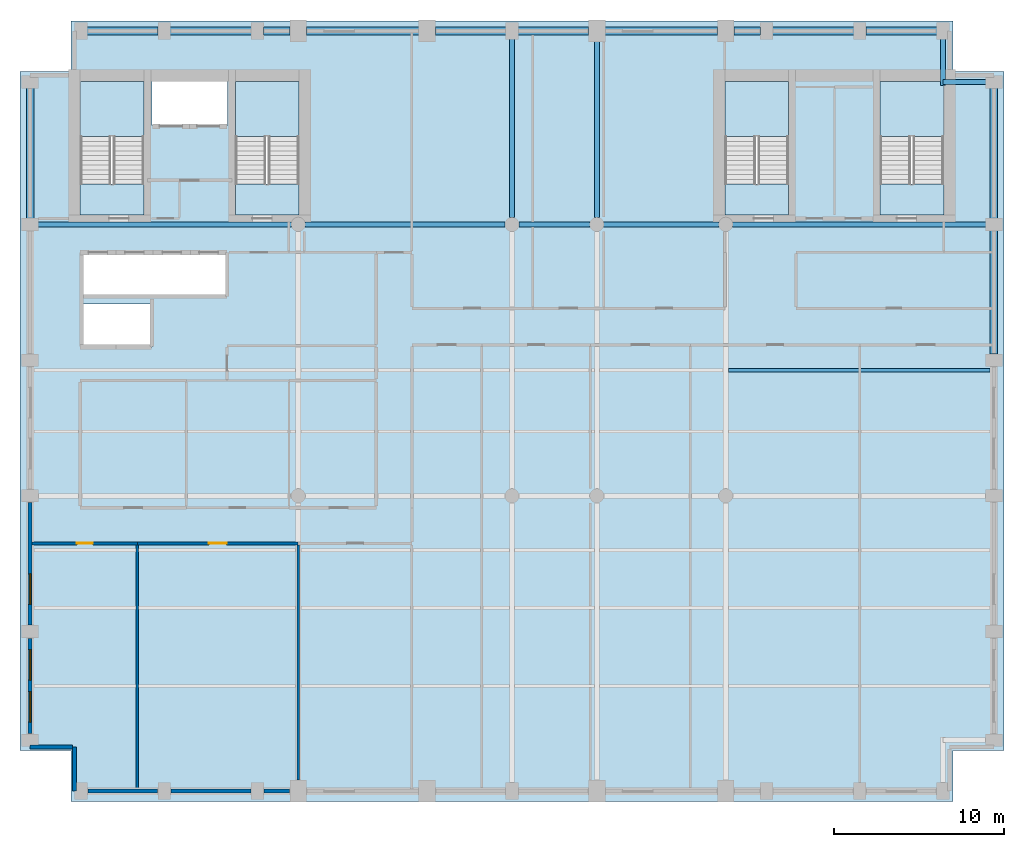
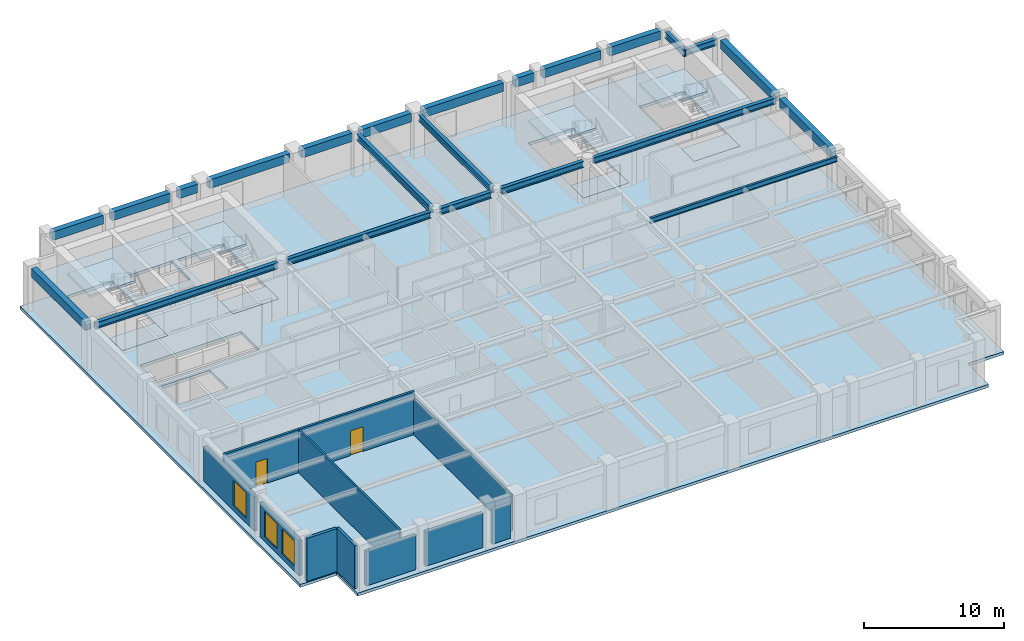
# One storey, part 2 of 8: 23 beams, 11 walls, 9 slabs, 3 windows, 2 doors, 5 openings, 4 elements without a shape of their own.
"""IFC4 building model written with IfcOpenShell, lengths in metres."""

from ifc_helpers import new_model, si_unit, direction, frame, frame_2d, origin, origin_2d, place, context, subcontext, project, spatial, polyline, rectangle, i_section, outline, extrude, material, layer, layer_set, material_profile, profile_set, type_object, element, fill, aggregate, save


model = new_model("IFC4")

# Units and contexts
model_context = context("Model", 3, precision=1e-05, world=origin(), true_north=direction((0.0, 1.0)))
body_context = subcontext(model_context, "Body", "Model", "MODEL_VIEW")
ifc_project = project(units=[si_unit("LENGTHUNIT", "METRE"), si_unit("AREAUNIT", "SQUARE_METRE"), si_unit("VOLUMEUNIT", "CUBIC_METRE"), si_unit("PLANEANGLEUNIT", "RADIAN"), si_unit("MASSUNIT", "GRAM", prefix="KILO")], contexts=[model_context])

# Site, building, storey
site_placement = place(None, origin())
site = spatial("IfcSite", under=ifc_project, at=site_placement, CompositionType="ELEMENT")
building_placement = place(site_placement, origin())
building = spatial("IfcBuilding", under=site, at=building_placement, Name="Sulina Concourse Tower", CompositionType="ELEMENT")
storey_placement = place(building_placement, frame((0.0, 0.0, 264.60009765625)))
storey = spatial("IfcBuildingStorey", under=building, at=storey_placement, Name="L64", CompositionType="ELEMENT", Elevation=264.60009765625)

# Beams
ifc_material_1 = material(Name="Steel S355", Category="steel")
ifc_material_profile_1 = material_profile(ifc_material_1, i_section(OverallWidth=0.18994140625, OverallDepth=0.449951171875, WebThickness=0.009521484375, FlangeThickness=0.0146484375, at=origin_2d()), Name="IPE 450")
ifc_profile_set_1 = profile_set([ifc_material_profile_1], Name="Steel S355")
beam_type_1 = type_object("IfcBeamType", Name="Composite Floor Joist IPE450", PredefinedType="JOIST", material=ifc_profile_set_1)
beam_1_placement = place(storey_placement, frame((41.75, 25.39990234375, 3.52490234375), z_axis=(1.0, 0.0, 0.0), x_axis=(0.0, 1.0, 0.0)))
element("IfcBeam", 1, at=beam_1_placement, inside=storey, type_object=beam_type_1, Name="FJ-J25-5-L64", PredefinedType="JOIST", context=body_context, shape_type="SweptSolid", body=[
    extrude(i_section(OverallWidth=0.18994140625, OverallDepth=0.449951171875, WebThickness=0.009521484375, FlangeThickness=0.0146484375, at=origin_2d()), origin(), (0.0, 0.0, 1.0), 15.425048828125),
])
ifc_material_2 = material(Name="Steel S355", Category="steel")
ifc_material_profile_2 = material_profile(ifc_material_2, i_section(OverallWidth=0.300048828125, OverallDepth=0.550048828125, WebThickness=0.014892578125, FlangeThickness=0.029052734375, at=origin_2d()), Name="HE 550 B")
ifc_profile_set_2 = profile_set([ifc_material_profile_2], Name="Steel S355")
beam_type_2 = type_object("IfcBeamType", Name="Floor Primary Girder Zone 4 HE550B", PredefinedType="BEAM", material=ifc_profile_set_2)
beam_2_placement = place(storey_placement, frame((54.39990234375, 42.39990234375, 3.474853515625), z_axis=(1.0, 0.0, 0.0), x_axis=(0.0, 1.0, 0.0)))
element("IfcBeam", 2, at=beam_2_placement, inside=storey, type_object=beam_type_2, Name="TIE-NE-L64", PredefinedType="BEAM", context=body_context, shape_type="SweptSolid", body=[
    extrude(i_section(OverallWidth=0.300048828125, OverallDepth=0.550048828125, WebThickness=0.014892578125, FlangeThickness=0.029052734375, at=origin_2d()), origin(), (0.0, 0.0, 1.0), 2.64501953125),
])
beam_3_placement = place(storey_placement, frame((54.39990234375, 42.199951171875, 3.474853515625), z_axis=(0.0, 1.0, 0.0), x_axis=(-1.0, 0.0, 0.0)))
element("IfcBeam", 3, at=beam_3_placement, inside=storey, type_object=beam_type_2, Name="TIE-NEN-L64", PredefinedType="BEAM", context=body_context, shape_type="SweptSolid", body=[
    extrude(i_section(OverallWidth=0.300048828125, OverallDepth=0.550048828125, WebThickness=0.014892578125, FlangeThickness=0.029052734375, at=origin_2d()), origin(), (0.0, 0.0, 1.0), 2.844970703125),
])
beam_4_placement = place(storey_placement, frame((0.955078125, 34.0, 3.474853515625), z_axis=(1.0, 0.0, 0.0), x_axis=(0.0, 1.0, 0.0)))
element("IfcBeam", 4, at=beam_4_placement, inside=storey, type_object=beam_type_2, Name="FG-EWN1-L64", PredefinedType="BEAM", context=body_context, shape_type="SweptSolid", body=[
    extrude(i_section(OverallWidth=0.300048828125, OverallDepth=0.550048828125, WebThickness=0.014892578125, FlangeThickness=0.029052734375, at=origin_2d()), origin(), (0.0, 0.0, 1.0), 15.0400390625),
])
beam_5_placement = place(storey_placement, frame((16.804931640625, 34.0, 3.474853515625), z_axis=(1.0, 0.0, 0.0), x_axis=(0.0, 1.0, 0.0)))
element("IfcBeam", 5, at=beam_5_placement, inside=storey, type_object=beam_type_2, Name="FG-EWN2-L64", PredefinedType="BEAM", context=body_context, shape_type="SweptSolid", body=[
    extrude(i_section(OverallWidth=0.300048828125, OverallDepth=0.550048828125, WebThickness=0.014892578125, FlangeThickness=0.029052734375, at=origin_2d()), origin(), (0.0, 0.0, 1.0), 11.7900390625),
])
beam_6_placement = place(storey_placement, frame((29.405029296875, 34.0, 3.474853515625), z_axis=(1.0, 0.0, 0.0), x_axis=(0.0, 1.0, 0.0)))
element("IfcBeam", 6, at=beam_6_placement, inside=storey, type_object=beam_type_2, Name="FG-EWN3-L64", PredefinedType="BEAM", context=body_context, shape_type="SweptSolid", body=[
    extrude(i_section(OverallWidth=0.300048828125, OverallDepth=0.550048828125, WebThickness=0.014892578125, FlangeThickness=0.029052734375, at=origin_2d()), origin(), (0.0, 0.0, 1.0), 4.18994140625),
])
beam_7_placement = place(storey_placement, frame((34.405029296875, 34.0, 3.474853515625), z_axis=(1.0, 0.0, 0.0), x_axis=(0.0, 1.0, 0.0)))
element("IfcBeam", 7, at=beam_7_placement, inside=storey, type_object=beam_type_2, Name="FG-EWN4-L64", PredefinedType="BEAM", context=body_context, shape_type="SweptSolid", body=[
    extrude(i_section(OverallWidth=0.300048828125, OverallDepth=0.550048828125, WebThickness=0.014892578125, FlangeThickness=0.029052734375, at=origin_2d()), origin(), (0.0, 0.0, 1.0), 6.7900390625),
])
beam_8_placement = place(storey_placement, frame((42.0048828125, 34.0, 3.474853515625), z_axis=(1.0, 0.0, 0.0), x_axis=(0.0, 1.0, 0.0)))
element("IfcBeam", 8, at=beam_8_placement, inside=storey, type_object=beam_type_2, Name="FG-EWN5-L64", PredefinedType="BEAM", context=body_context, shape_type="SweptSolid", body=[
    extrude(i_section(OverallWidth=0.300048828125, OverallDepth=0.550048828125, WebThickness=0.014892578125, FlangeThickness=0.029052734375, at=origin_2d()), origin(), (0.0, 0.0, 1.0), 15.0400390625),
])
beam_9_placement = place(storey_placement, frame((29.0, 34.405029296875, 3.474853515625), z_axis=(0.0, 1.0, 0.0), x_axis=(-1.0, 0.0, 0.0)))
element("IfcBeam", 9, at=beam_9_placement, inside=storey, type_object=beam_type_2, Name="FG-NSC-29-L64", PredefinedType="BEAM", context=body_context, shape_type="SweptSolid", body=[
    extrude(i_section(OverallWidth=0.300048828125, OverallDepth=0.550048828125, WebThickness=0.014892578125, FlangeThickness=0.029052734375, at=origin_2d()), origin(), (0.0, 0.0, 1.0), 10.639892578125),
])
beam_10_placement = place(storey_placement, frame((34.0, 34.405029296875, 3.474853515625), z_axis=(0.0, 1.0, 0.0), x_axis=(-1.0, 0.0, 0.0)))
element("IfcBeam", 10, at=beam_10_placement, inside=storey, type_object=beam_type_2, Name="FG-NSC-34-L64", PredefinedType="BEAM", context=body_context, shape_type="SweptSolid", body=[
    extrude(i_section(OverallWidth=0.300048828125, OverallDepth=0.550048828125, WebThickness=0.014892578125, FlangeThickness=0.029052734375, at=origin_2d()), origin(), (0.0, 0.0, 1.0), 10.514892578125),
])
ifc_material_3 = material(Name="Precast concrete C50/60", Category="concrete")
ifc_material_profile_3 = material_profile(ifc_material_3, rectangle(XDim=0.449951171875, YDim=0.75, at=origin_2d()), Name="RC 450x750")
ifc_profile_set_3 = profile_set([ifc_material_profile_3], Name="Precast concrete C50/60")
beam_type_3 = type_object("IfcBeamType", Name="Upper Precast Spandrel Edge Beam 450x750", PredefinedType="BEAM", material=ifc_profile_set_3)
beam_11_placement = place(storey_placement, frame((3.955078125, 45.39990234375, 3.375), z_axis=(1.0, 0.0, 0.0), x_axis=(0.0, 1.0, 0.0)))
element("IfcBeam", 11, at=beam_11_placement, inside=storey, type_object=beam_type_3, Name="SP-N1-L64", PredefinedType="BEAM", context=body_context, shape_type="SweptSolid", body=[
    extrude(rectangle(XDim=0.449951171875, YDim=0.75, at=origin_2d()), origin(), (0.0, 0.0, 1.0), 4.18994140625),
])
beam_12_placement = place(storey_placement, frame((8.85498046875, 45.39990234375, 3.375), z_axis=(1.0, 0.0, 0.0), x_axis=(0.0, 1.0, 0.0)))
element("IfcBeam", 12, at=beam_12_placement, inside=storey, type_object=beam_type_3, Name="SP-N2-L64", PredefinedType="BEAM", context=body_context, shape_type="SweptSolid", body=[
    extrude(rectangle(XDim=0.449951171875, YDim=0.75, at=origin_2d()), origin(), (0.0, 0.0, 1.0), 4.7900390625),
])
beam_13_placement = place(storey_placement, frame((14.35498046875, 45.39990234375, 3.375), z_axis=(1.0, 0.0, 0.0), x_axis=(0.0, 1.0, 0.0)))
element("IfcBeam", 13, at=beam_13_placement, inside=storey, type_object=beam_type_3, Name="SP-N3-L64", PredefinedType="BEAM", context=body_context, shape_type="SweptSolid", body=[
    extrude(rectangle(XDim=0.449951171875, YDim=0.75, at=origin_2d()), origin(), (0.0, 0.0, 1.0), 1.56494140625),
])
beam_14_placement = place(storey_placement, frame((16.8798828125, 45.39990234375, 3.375), z_axis=(1.0, 0.0, 0.0), x_axis=(0.0, 1.0, 0.0)))
element("IfcBeam", 14, at=beam_14_placement, inside=storey, type_object=beam_type_3, Name="SP-N4-L64", PredefinedType="BEAM", context=body_context, shape_type="SweptSolid", body=[
    extrude(rectangle(XDim=0.449951171875, YDim=0.75, at=origin_2d()), origin(), (0.0, 0.0, 1.0), 6.64013671875),
])
for number, where, z_axis, x_axis, name in (
    (15, (24.47998046875, 45.39990234375, 3.375), (1.0, 0.0, 0.0), (0.0, 1.0, 0.0), "SP-N5-L64"),
    (16, (29.35498046875, 45.39990234375, 3.375), (1.0, 0.0, 0.0), (0.0, 1.0, 0.0), "SP-N6-L64"),
):
    element("IfcBeam", number, at=place(storey_placement, frame(where, z_axis=z_axis, x_axis=x_axis)), inside=storey, type_object=beam_type_3, Name=name, PredefinedType="BEAM", context=body_context, shape_type="SweptSolid", body=[
        extrude(rectangle(XDim=0.449951171875, YDim=0.75, at=origin_2d()), origin(), (0.0, 0.0, 1.0), 4.1650390625),
    ])
beam_15_placement = place(storey_placement, frame((34.47998046875, 45.39990234375, 3.375), z_axis=(1.0, 0.0, 0.0), x_axis=(0.0, 1.0, 0.0)))
element("IfcBeam", 17, at=beam_15_placement, inside=storey, type_object=beam_type_3, Name="SP-N7-L64", PredefinedType="BEAM", context=body_context, shape_type="SweptSolid", body=[
    extrude(rectangle(XDim=0.449951171875, YDim=0.75, at=origin_2d()), origin(), (0.0, 0.0, 1.0), 6.64013671875),
])
beam_16_placement = place(storey_placement, frame((42.080078125, 45.39990234375, 3.375), z_axis=(1.0, 0.0, 0.0), x_axis=(0.0, 1.0, 0.0)))
element("IfcBeam", 18, at=beam_16_placement, inside=storey, type_object=beam_type_3, Name="SP-N8-L64", PredefinedType="BEAM", context=body_context, shape_type="SweptSolid", body=[
    extrude(rectangle(XDim=0.449951171875, YDim=0.75, at=origin_2d()), origin(), (0.0, 0.0, 1.0), 1.56494140625),
])
beam_17_placement = place(storey_placement, frame((44.35498046875, 45.39990234375, 3.375), z_axis=(1.0, 0.0, 0.0), x_axis=(0.0, 1.0, 0.0)))
element("IfcBeam", 19, at=beam_17_placement, inside=storey, type_object=beam_type_3, Name="SP-N9-L64", PredefinedType="BEAM", context=body_context, shape_type="SweptSolid", body=[
    extrude(rectangle(XDim=0.449951171875, YDim=0.75, at=origin_2d()), origin(), (0.0, 0.0, 1.0), 4.7900390625),
])
beam_18_placement = place(storey_placement, frame((49.85498046875, 45.39990234375, 3.375), z_axis=(1.0, 0.0, 0.0), x_axis=(0.0, 1.0, 0.0)))
element("IfcBeam", 20, at=beam_18_placement, inside=storey, type_object=beam_type_3, Name="SP-N10-L64", PredefinedType="BEAM", context=body_context, shape_type="SweptSolid", body=[
    extrude(rectangle(XDim=0.449951171875, YDim=0.75, at=origin_2d()), origin(), (0.0, 0.0, 1.0), 4.18994140625),
])
beam_19_placement = place(storey_placement, frame((0.60009765625, 34.35498046875, 3.375), z_axis=(0.0, 1.0, 0.0), x_axis=(-1.0, 0.0, 0.0)))
element("IfcBeam", 21, at=beam_19_placement, inside=storey, type_object=beam_type_3, Name="SP-W5-L64", PredefinedType="BEAM", context=body_context, shape_type="SweptSolid", body=[
    extrude(rectangle(XDim=0.449951171875, YDim=0.75, at=origin_2d()), origin(), (0.0, 0.0, 1.0), 7.68994140625),
])
beam_20_placement = place(storey_placement, frame((57.39990234375, 26.35498046875, 3.375), z_axis=(0.0, 1.0, 0.0), x_axis=(-1.0, 0.0, 0.0)))
element("IfcBeam", 22, at=beam_20_placement, inside=storey, type_object=beam_type_3, Name="SP-E4-L64", PredefinedType="BEAM", context=body_context, shape_type="SweptSolid", body=[
    extrude(rectangle(XDim=0.449951171875, YDim=0.75, at=origin_2d()), origin(), (0.0, 0.0, 1.0), 7.2900390625),
])
beam_21_placement = place(storey_placement, frame((57.39990234375, 34.35498046875, 3.375), z_axis=(0.0, 1.0, 0.0), x_axis=(-1.0, 0.0, 0.0)))
element("IfcBeam", 23, at=beam_21_placement, inside=storey, type_object=beam_type_3, Name="SP-E5-L64", PredefinedType="BEAM", context=body_context, shape_type="SweptSolid", body=[
    extrude(rectangle(XDim=0.449951171875, YDim=0.75, at=origin_2d()), origin(), (0.0, 0.0, 1.0), 7.68994140625),
])

# Slabs
ifc_material_4 = material(Name="Concrete C50/60", Category="concrete")
ifc_layer_1 = layer(ifc_material_4, 0.25)
ifc_layer_set_1 = layer_set([ifc_layer_1], Name="Concrete C50/60")
slab_type_1 = type_object("IfcSlabType", Name="High-Rise Composite Floor Slab 250mm", PredefinedType="FLOOR", material=ifc_layer_set_1)
slab_1_placement = place(storey_placement, frame((0.0, 0.0, -0.25)))
element("IfcSlab", 24, at=slab_1_placement, inside=storey, type_object=slab_type_1, Name="L64 structural floor slab", PredefinedType="FLOOR", context=body_context, shape_type="SweptSolid", body=[
    extrude(outline(polyline([(3.0, 0.0), (55.0, 0.0), (55.0, 3.0), (58.0, 3.0), (58.0, 43.0), (55.0, 43.0), (55.0, 46.0), (3.0, 46.0), (3.0, 43.0), (0.0, 43.0), (0.0, 3.0), (3.0, 3.0), (3.0, 0.0)]), holes=[polyline([(7.31005859375, 34.550048828125), (7.31005859375, 42.429931640625), (3.550048828125, 42.429931640625), (3.550048828125, 34.550048828125), (7.31005859375, 34.550048828125)]), polyline([(16.449951171875, 34.550048828125), (16.449951171875, 42.429931640625), (12.68994140625, 42.429931640625), (12.68994140625, 34.550048828125), (16.449951171875, 34.550048828125)]), polyline([(45.31005859375, 34.550048828125), (45.31005859375, 42.429931640625), (41.550048828125, 42.429931640625), (41.550048828125, 34.550048828125), (45.31005859375, 34.550048828125)]), polyline([(54.449951171875, 34.550048828125), (54.449951171875, 42.429931640625), (50.68994140625, 42.429931640625), (50.68994140625, 34.550048828125), (54.449951171875, 34.550048828125)]), polyline([(7.780029296875, 39.830078125), (12.219970703125, 39.830078125), (12.219970703125, 42.449951171875), (7.780029296875, 42.449951171875), (7.780029296875, 39.830078125)]), polyline([(3.739990234375, 26.780029296875), (7.77001953125, 26.780029296875), (7.77001953125, 29.320068359375), (3.739990234375, 29.320068359375), (3.739990234375, 26.780029296875)]), polyline([(3.739990234375, 29.780029296875), (12.10009765625, 29.780029296875), (12.10009765625, 32.3701171875), (3.739990234375, 32.3701171875), (3.739990234375, 29.780029296875)])]), origin(), (0.0, 0.0, 1.0), 0.25),
])
ifc_material_5 = material(Name="Concrete C50/60", Category="concrete")
ifc_layer_2 = layer(ifc_material_5, 0.199951171875)
ifc_layer_set_2 = layer_set([ifc_layer_2], Name="Concrete C50/60")
slab_type_2 = type_object("IfcSlabType", Name="Primary Core Stair Landing Slab 200mm", PredefinedType="LANDING", material=ifc_layer_set_2)
slab_2_placement = place(storey_placement, frame((0.0, 0.0, -0.2001953125)))
element("IfcSlab", 25, at=slab_2_placement, inside=storey, type_object=slab_type_2, Name="L64 ST-1 floor landing slab", PredefinedType="LANDING", context=body_context, shape_type="SweptSolid", body=[
    extrude(outline(polyline([(7.31005859375, 34.550048828125), (7.31005859375, 36.375), (3.550048828125, 36.375), (3.550048828125, 34.550048828125), (7.31005859375, 34.550048828125)])), origin(), (0.0, 0.0, 1.0), 0.2001953125),
])
slab_3_placement = place(storey_placement, frame((0.0, 0.0, -0.2001953125)))
element("IfcSlab", 26, at=slab_3_placement, inside=storey, type_object=slab_type_2, Name="L64 ST-2 floor landing slab", PredefinedType="LANDING", context=body_context, shape_type="SweptSolid", body=[
    extrude(outline(polyline([(16.449951171875, 34.550048828125), (16.449951171875, 36.375), (12.68994140625, 36.375), (12.68994140625, 34.550048828125), (16.449951171875, 34.550048828125)])), origin(), (0.0, 0.0, 1.0), 0.2001953125),
])
slab_4_placement = place(storey_placement, frame((0.0, 0.0, -0.2001953125)))
element("IfcSlab", 27, at=slab_4_placement, inside=storey, type_object=slab_type_2, Name="L64 ST-3 floor landing slab", PredefinedType="LANDING", context=body_context, shape_type="SweptSolid", body=[
    extrude(outline(polyline([(45.31005859375, 34.550048828125), (45.31005859375, 36.375), (41.550048828125, 36.375), (41.550048828125, 34.550048828125), (45.31005859375, 34.550048828125)])), origin(), (0.0, 0.0, 1.0), 0.2001953125),
])
slab_5_placement = place(storey_placement, frame((0.0, 0.0, -0.2001953125)))
element("IfcSlab", 28, at=slab_5_placement, inside=storey, type_object=slab_type_2, Name="L64 ST-4 floor landing slab", PredefinedType="LANDING", context=body_context, shape_type="SweptSolid", body=[
    extrude(outline(polyline([(54.449951171875, 34.550048828125), (54.449951171875, 36.375), (50.68994140625, 36.375), (50.68994140625, 34.550048828125), (54.449951171875, 34.550048828125)])), origin(), (0.0, 0.0, 1.0), 0.2001953125),
])

# Stair, slab
ifc_material_6 = material(Name="Concrete C50/60", Category="concrete")
stair_type_1 = type_object("IfcStairType", Name="Primary Core Dog-Leg Exit Stair 1800mm", PredefinedType="HALF_TURN_STAIR", material=ifc_material_6)
stair_1_placement = place(storey_placement, origin())
stair_1 = element("IfcStair", 29, at=stair_1_placement, inside=storey, type_object=stair_type_1, Name="L64 ST-1", PredefinedType="HALF_TURN_STAIR")
slab_6_placement = place(storey_placement, frame((0.0, 0.0, 1.7998046875)))
slab_6 = element("IfcSlab", 30, at=slab_6_placement, type_object=slab_type_2, Name="ST-1 landing 1", PredefinedType="LANDING", context=body_context, shape_type="SweptSolid", body=[
    extrude(outline(polyline([(7.304931640625, 39.175048828125), (7.304931640625, 42.425048828125), (3.554931640625, 42.425048828125), (3.554931640625, 39.175048828125), (7.304931640625, 39.175048828125)])), origin(), (0.0, 0.0, 1.0), 0.2001953125),
])
aggregate(stair_1, [slab_6])

stair_2_placement = place(storey_placement, origin())
stair_2 = element("IfcStair", 31, at=stair_2_placement, inside=storey, type_object=stair_type_1, Name="L64 ST-2", PredefinedType="HALF_TURN_STAIR")
slab_7_placement = place(storey_placement, frame((0.0, 0.0, 1.7998046875)))
slab_7 = element("IfcSlab", 32, at=slab_7_placement, type_object=slab_type_2, Name="ST-2 landing 1", PredefinedType="LANDING", context=body_context, shape_type="SweptSolid", body=[
    extrude(outline(polyline([(16.445068359375, 39.175048828125), (16.445068359375, 42.425048828125), (12.695068359375, 42.425048828125), (12.695068359375, 39.175048828125), (16.445068359375, 39.175048828125)])), origin(), (0.0, 0.0, 1.0), 0.2001953125),
])
aggregate(stair_2, [slab_7])

ifc_material_7 = material(Name="Concrete C50/60", Category="concrete")
stair_type_2 = type_object("IfcStairType", Name="Portal & Podium Core Exit Stair 1820mm", PredefinedType="HALF_TURN_STAIR", material=ifc_material_7)
stair_3_placement = place(storey_placement, origin())
stair_3 = element("IfcStair", 33, at=stair_3_placement, inside=storey, type_object=stair_type_2, Name="L64 ST-3", PredefinedType="HALF_TURN_STAIR")
slab_8_placement = place(storey_placement, frame((0.0, 0.0, 1.7998046875)))
slab_8 = element("IfcSlab", 34, at=slab_8_placement, type_object=slab_type_2, Name="ST-3 landing 1", PredefinedType="LANDING", context=body_context, shape_type="SweptSolid", body=[
    extrude(outline(polyline([(45.304931640625, 39.175048828125), (45.304931640625, 42.425048828125), (41.554931640625, 42.425048828125), (41.554931640625, 39.175048828125), (45.304931640625, 39.175048828125)])), origin(), (0.0, 0.0, 1.0), 0.2001953125),
])
aggregate(stair_3, [slab_8])

stair_4_placement = place(storey_placement, origin())
stair_4 = element("IfcStair", 35, at=stair_4_placement, inside=storey, type_object=stair_type_2, Name="L64 ST-4", PredefinedType="HALF_TURN_STAIR")
slab_9_placement = place(storey_placement, frame((0.0, 0.0, 1.7998046875)))
slab_9 = element("IfcSlab", 36, at=slab_9_placement, type_object=slab_type_2, Name="ST-4 landing 1", PredefinedType="LANDING", context=body_context, shape_type="SweptSolid", body=[
    extrude(outline(polyline([(54.445068359375, 39.175048828125), (54.445068359375, 42.425048828125), (50.695068359375, 42.425048828125), (50.695068359375, 39.175048828125), (54.445068359375, 39.175048828125)])), origin(), (0.0, 0.0, 1.0), 0.2001953125),
])
aggregate(stair_4, [slab_9])

# Walls
ifc_material_8 = material(Name="Precast concrete C50/60", Category="concrete")
ifc_layer_3 = layer(ifc_material_8, 0.239990234375)
ifc_layer_set_3 = layer_set([ifc_layer_3], Name="Precast concrete C50/60")
wall_type_1 = type_object("IfcWallType", Name="Crown Precast Masonry-Frame Facade Wall 240mm", PredefinedType="SOLIDWALL", material=ifc_layer_set_3)
wall_1_placement = place(storey_placement, frame((8.10498046875, 0.60009765625, 0.0), z_axis=(0.0, 0.0, 1.0), x_axis=(-1.0, 0.0, 0.0)))
element("IfcWall", 37, at=wall_1_placement, inside=storey, type_object=wall_type_1, Name="L64 exterior precast wall S1", PredefinedType="SOLIDWALL", context=body_context, shape_type="SweptSolid", body=[
    extrude(rectangle(XDim=4.10986328125, YDim=0.239990234375, at=frame_2d((2.054931640625, 0.0))), origin(), (0.0, 0.0, 1.0), 3.0),
])
wall_2_placement = place(storey_placement, frame((13.60498046875, 0.60009765625, 0.0), z_axis=(0.0, 0.0, 1.0), x_axis=(-1.0, 0.0, 0.0)))
element("IfcWall", 38, at=wall_2_placement, inside=storey, type_object=wall_type_1, Name="L64 exterior precast wall S2", PredefinedType="SOLIDWALL", context=body_context, shape_type="SweptSolid", body=[
    extrude(rectangle(XDim=4.7099609375, YDim=0.239990234375, at=frame_2d((2.35498046875, 0.0))), origin(), (0.0, 0.0, 1.0), 3.0),
])
wall_3_placement = place(storey_placement, frame((15.8798828125, 0.60009765625, 0.0), z_axis=(0.0, 0.0, 1.0), x_axis=(-1.0, 0.0, 0.0)))
element("IfcWall", 39, at=wall_3_placement, inside=storey, type_object=wall_type_1, Name="L64 exterior precast wall S3", PredefinedType="SOLIDWALL", context=body_context, shape_type="SweptSolid", body=[
    extrude(rectangle(XDim=1.48486328125, YDim=0.239990234375, at=frame_2d((0.742431640625, 0.0))), origin(), (0.0, 0.0, 1.0), 3.0),
])

# Wall, openings, windows
wall_4_placement = place(storey_placement, frame((0.60009765625, 3.9951171875, 0.0), z_axis=(0.0, 0.0, 1.0), x_axis=(0.0, 1.0, 0.0)))
wall_4 = element("IfcWall", 40, at=wall_4_placement, inside=storey, type_object=wall_type_1, Name="L64 exterior precast wall W1", PredefinedType="SOLIDWALL", context=body_context, shape_type="SweptSolid", body=[
    extrude(rectangle(XDim=5.60986328125, YDim=0.239990234375, at=frame_2d((2.804931640625, 0.0))), origin(), (0.0, 0.0, 1.0), 3.0),
])
opening_1_placement = place(wall_4_placement, frame((0.669921875, 0.0, 0.419921875)))
opening_1 = element("IfcOpeningElement", 41, at=opening_1_placement, cuts=wall_4, Name="Opening WN-25", PredefinedType="OPENING", context=body_context, shape_type="SweptSolid", body=[
    extrude(rectangle(XDim=1.800048828125, YDim=2.199951171875, at=frame_2d((0.89990234375, 1.10009765625))), frame((0.0, 0.1298828125, 0.0), z_axis=(0.0, -1.0, 0.0), x_axis=(1.0, 0.0, 0.0)), (0.0, 0.0, 1.0), 0.260009765625),
])
opening_2_placement = place(wall_4_placement, frame((3.139892578125, 0.0, 0.419921875)))
opening_2 = element("IfcOpeningElement", 42, at=opening_2_placement, cuts=wall_4, Name="Opening WN-25", PredefinedType="OPENING", context=body_context, shape_type="SweptSolid", body=[
    extrude(rectangle(XDim=1.800048828125, YDim=2.199951171875, at=frame_2d((0.89990234375, 1.10009765625))), frame((0.0, 0.1298828125, 0.0), z_axis=(0.0, -1.0, 0.0), x_axis=(1.0, 0.0, 0.0)), (0.0, 0.0, 1.0), 0.260009765625),
])
ifc_material_9 = material(Name="Low-E solar double glazing in bronze aluminium", Category="aluminium")
window_type = type_object("IfcWindowType", Name="Punched Masonry-Frame Window 1800x2200", PartitioningType="SINGLE_PANEL", PredefinedType="WINDOW", material=ifc_material_9)
window_1_placement = place(opening_1_placement, origin())
window_1 = element("IfcWindow", 43, at=window_1_placement, inside=storey, type_object=window_type, Name="L64 punched window W1-1", OverallHeight=2.199951171875, OverallWidth=1.800048828125, PartitioningType="SINGLE_PANEL", PredefinedType="WINDOW", context=body_context, shape_type="SweptSolid", body=[
    extrude(rectangle(XDim=1.800048828125, YDim=2.199951171875, at=frame_2d((0.89990234375, 1.10009765625))), frame((0.0, 0.030029296875, 0.0), z_axis=(0.0, -1.0, 0.0), x_axis=(1.0, 0.0, 0.0)), (0.0, 0.0, 1.0), 0.06005859375),
])
fill(opening_1, window_1)
window_2_placement = place(opening_2_placement, origin())
window_2 = element("IfcWindow", 44, at=window_2_placement, inside=storey, type_object=window_type, Name="L64 punched window W1-2", OverallHeight=2.199951171875, OverallWidth=1.800048828125, PartitioningType="SINGLE_PANEL", PredefinedType="WINDOW", context=body_context, shape_type="SweptSolid", body=[
    extrude(rectangle(XDim=1.800048828125, YDim=2.199951171875, at=frame_2d((0.89990234375, 1.10009765625))), frame((0.0, 0.030029296875, 0.0), z_axis=(0.0, -1.0, 0.0), x_axis=(1.0, 0.0, 0.0)), (0.0, 0.0, 1.0), 0.06005859375),
])
fill(opening_2, window_2)

# Wall, opening, window
wall_5_placement = place(storey_placement, frame((0.60009765625, 10.39501953125, 0.0), z_axis=(0.0, 0.0, 1.0), x_axis=(0.0, 1.0, 0.0)))
wall_5 = element("IfcWall", 45, at=wall_5_placement, inside=storey, type_object=wall_type_1, Name="L64 exterior precast wall W2", PredefinedType="SOLIDWALL", context=body_context, shape_type="SweptSolid", body=[
    extrude(rectangle(XDim=7.2099609375, YDim=0.239990234375, at=frame_2d((3.60498046875, 0.0))), origin(), (0.0, 0.0, 1.0), 3.0),
])
opening_3_placement = place(wall_5_placement, frame((1.203369140625, 0.0, 0.419921875)))
opening_3 = element("IfcOpeningElement", 46, at=opening_3_placement, cuts=wall_5, Name="Opening WN-25", PredefinedType="OPENING", context=body_context, shape_type="SweptSolid", body=[
    extrude(rectangle(XDim=1.800048828125, YDim=2.199951171875, at=frame_2d((0.89990234375, 1.10009765625))), frame((0.0, 0.1298828125, 0.0), z_axis=(0.0, -1.0, 0.0), x_axis=(1.0, 0.0, 0.0)), (0.0, 0.0, 1.0), 0.260009765625),
])
window_3_placement = place(opening_3_placement, origin())
window_3 = element("IfcWindow", 47, at=window_3_placement, inside=storey, type_object=window_type, Name="L64 punched window W2-1", OverallHeight=2.199951171875, OverallWidth=1.800048828125, PartitioningType="SINGLE_PANEL", PredefinedType="WINDOW", context=body_context, shape_type="SweptSolid", body=[
    extrude(rectangle(XDim=1.800048828125, YDim=2.199951171875, at=frame_2d((0.89990234375, 1.10009765625))), frame((0.0, 0.030029296875, 0.0), z_axis=(0.0, -1.0, 0.0), x_axis=(1.0, 0.0, 0.0)), (0.0, 0.0, 1.0), 0.06005859375),
])
fill(opening_3, window_3)

# Walls
wall_6_placement = place(storey_placement, frame((3.205078125, 0.60009765625, 0.0), z_axis=(0.0, 0.0, 1.0), x_axis=(0.0, 1.0, 0.0)))
element("IfcWall", 48, at=wall_6_placement, inside=storey, type_object=wall_type_1, Name="L64 exterior precast wall CSW1", PredefinedType="SOLIDWALL", context=body_context, shape_type="SweptSolid", body=[
    extrude(rectangle(XDim=2.60498046875, YDim=0.239990234375, at=frame_2d((1.302490234375, 0.0))), origin(), (0.0, 0.0, 1.0), 3.75),
])
wall_7_placement = place(storey_placement, frame((3.080078125, 3.205078125, 0.0), z_axis=(0.0, 0.0, 1.0), x_axis=(-1.0, 0.0, 0.0)))
element("IfcWall", 49, at=wall_7_placement, inside=storey, type_object=wall_type_1, Name="L64 exterior precast wall CSW2", PredefinedType="SOLIDWALL", context=body_context, shape_type="SweptSolid", body=[
    extrude(rectangle(XDim=2.47998046875, YDim=0.239990234375, at=frame_2d((1.239990234375, 0.0))), origin(), (0.0, 0.0, 1.0), 3.75),
])
ifc_material_10 = material(Name="Gypsum board on steel stud", Category="steel")
ifc_layer_4 = layer(ifc_material_10, 0.14990234375)
ifc_layer_set_4 = layer_set([ifc_layer_4], Name="Gypsum board on steel stud")
wall_type_2 = type_object("IfcWallType", Name="Inter-Tenancy Acoustic Partition 150mm", PredefinedType="PARTITIONING", material=ifc_layer_set_4)
wall_8_placement = place(storey_placement, frame((6.919921875, 0.719970703125, 0.0), z_axis=(0.0, 0.0, 1.0), x_axis=(0.0, 1.0, 0.0)))
element("IfcWall", 50, at=wall_8_placement, inside=storey, type_object=wall_type_2, Name="L64 interior partition 032", PredefinedType="PARTITIONING", context=body_context, shape_type="SweptSolid", body=[
    extrude(rectangle(XDim=14.39013671875, YDim=0.14990234375, at=frame_2d((7.195068359375, 0.0))), origin(), (0.0, 0.0, 1.0), 3.75),
])
wall_9_placement = place(storey_placement, frame((16.39990234375, 1.25, 0.0), z_axis=(0.0, 0.0, 1.0), x_axis=(0.0, 1.0, 0.0)))
element("IfcWall", 51, at=wall_9_placement, inside=storey, type_object=wall_type_2, Name="L64 interior partition 038", PredefinedType="PARTITIONING", context=body_context, shape_type="SweptSolid", body=[
    extrude(rectangle(XDim=13.860107421875, YDim=0.14990234375, at=frame_2d((6.93017578125, 0.0))), origin(), (0.0, 0.0, 1.0), 3.19482421875),
])

# Wall, opening, door
ifc_material_11 = material(Name="Gypsum board on steel stud", Category="steel")
ifc_layer_5 = layer(ifc_material_11, 0.179931640625)
ifc_layer_set_5 = layer_set([ifc_layer_5], Name="Gypsum board on steel stud")
wall_type_3 = type_object("IfcWallType", Name="Protected Corridor & Riser Partition 180mm", PredefinedType="PARTITIONING", material=ifc_layer_set_5)
wall_10_placement = place(storey_placement, frame((0.719970703125, 15.199951171875, 0.0), z_axis=(0.0, 0.0, 1.0), x_axis=(1.0, 0.0, 0.0)))
wall_10 = element("IfcWall", 52, at=wall_10_placement, inside=storey, type_object=wall_type_3, Name="L64 interior partition 001", PredefinedType="PARTITIONING", context=body_context, shape_type="SweptSolid", body=[
    extrude(rectangle(XDim=6.199951171875, YDim=0.179931640625, at=frame_2d((3.10009765625, 0.0))), origin(), (0.0, 0.0, 1.0), 3.75),
])
opening_4_placement = place(wall_10_placement, frame((2.625, 0.0, 0.0)))
opening_4 = element("IfcOpeningElement", 53, at=opening_4_placement, cuts=wall_10, Name="Opening DR-19", PredefinedType="OPENING", context=body_context, shape_type="SweptSolid", body=[
    extrude(rectangle(XDim=0.949951171875, YDim=2.14990234375, at=frame_2d((0.47509765625, 1.074951171875))), frame((0.0, 0.099853515625, 0.0), z_axis=(0.0, -1.0, 0.0), x_axis=(1.0, 0.0, 0.0)), (0.0, 0.0, 1.0), 0.199951171875),
])
ifc_material_12 = material(Name="Oak-veneered acoustic timber leaf", Category="wood")
ifc_layer_6 = layer(ifc_material_12, 0.050048828125)
ifc_layer_set_6 = layer_set([ifc_layer_6], Name="Oak-veneered acoustic timber leaf")
door_type_1 = type_object("IfcDoorType", Name="Cellular Office & Meeting Door 950x2150", OperationType="NOTDEFINED", PredefinedType="DOOR", material=ifc_layer_set_6)
door_1_placement = place(opening_4_placement, origin())
door_1 = element("IfcDoor", 54, at=door_1_placement, inside=storey, type_object=door_type_1, Name="L64 interior door L64-S01", OperationType="SINGLE_SWING_RIGHT", OverallHeight=2.14990234375, OverallWidth=0.949951171875, PredefinedType="DOOR", context=body_context, shape_type="SweptSolid", body=[
    extrude(rectangle(XDim=0.949951171875, YDim=2.14990234375, at=frame_2d((0.47509765625, 1.074951171875))), frame((0.0, 0.02490234375, 0.0), z_axis=(0.0, -1.0, 0.0), x_axis=(1.0, 0.0, 0.0)), (0.0, 0.0, 1.0), 0.050048828125),
])
fill(opening_4, door_1)

wall_11_placement = place(storey_placement, frame((6.919921875, 15.199951171875, 0.0), z_axis=(0.0, 0.0, 1.0), x_axis=(1.0, 0.0, 0.0)))
wall_11 = element("IfcWall", 55, at=wall_11_placement, inside=storey, type_object=wall_type_3, Name="L64 interior partition 002", PredefinedType="PARTITIONING", context=body_context, shape_type="SweptSolid", body=[
    extrude(rectangle(XDim=9.47998046875, YDim=0.179931640625, at=frame_2d((4.739990234375, 0.0))), origin(), (0.0, 0.0, 1.0), 3.75),
])
opening_5_placement = place(wall_11_placement, frame((4.215087890625, 0.0, 0.0)))
opening_5 = element("IfcOpeningElement", 56, at=opening_5_placement, cuts=wall_11, Name="Opening DR-37", PredefinedType="OPENING", context=body_context, shape_type="SweptSolid", body=[
    extrude(rectangle(XDim=1.050048828125, YDim=2.14990234375, at=frame_2d((0.52490234375, 1.074951171875))), frame((0.0, 0.099853515625, 0.0), z_axis=(0.0, -1.0, 0.0), x_axis=(1.0, 0.0, 0.0)), (0.0, 0.0, 1.0), 0.199951171875),
])
ifc_material_13 = material(Name="Oak-veneered fire door leaf")
ifc_layer_7 = layer(ifc_material_13, 0.050048828125)
ifc_layer_set_7 = layer_set([ifc_layer_7], Name="Oak-veneered fire door leaf")
door_type_2 = type_object("IfcDoorType", Name="Tenant Suite Entrance Fire Door 1050x2150", OperationType="NOTDEFINED", PredefinedType="DOOR", material=ifc_layer_set_7)
door_2_placement = place(opening_5_placement, origin())
door_2 = element("IfcDoor", 57, at=door_2_placement, inside=storey, type_object=door_type_2, Name="L64 interior door L64-S02", OperationType="SINGLE_SWING_LEFT", OverallHeight=2.14990234375, OverallWidth=1.050048828125, PredefinedType="DOOR", context=body_context, shape_type="SweptSolid", body=[
    extrude(rectangle(XDim=1.050048828125, YDim=2.14990234375, at=frame_2d((0.52490234375, 1.074951171875))), frame((0.0, 0.02490234375, 0.0), z_axis=(0.0, -1.0, 0.0), x_axis=(1.0, 0.0, 0.0)), (0.0, 0.0, 1.0), 0.050048828125),
])
fill(opening_5, door_2)

save(model, "model.ifc")
